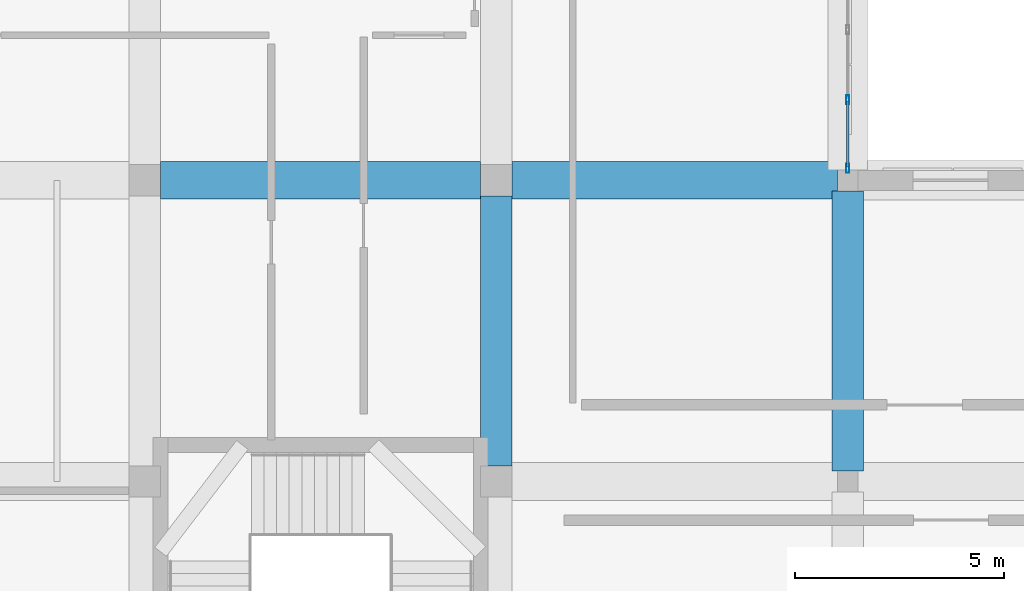
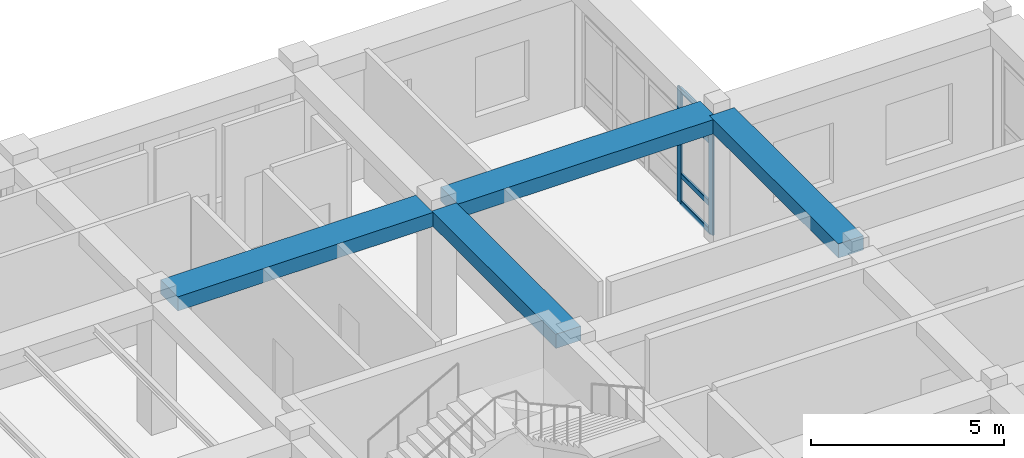
# One storey, part 46 of 111: 6 members, 4 beams, 1 element without a shape of its own.
"""IFC4 building model written with IfcOpenShell, lengths in metres."""

import ifcopenshell
import ifcopenshell.guid

model = None  # the IFC model being written
_history = None  # IfcOwnerHistory: only IFC2X3 demands one
_inside = {}  # id of a spatial element -> (the spatial element, [elements in it])
_under = {}  # id of a project, library or spatial element -> (it, [spatial elements below it])
_declared = {}  # id of a project -> (the project, [libraries it declares])
_typed = {}  # id of a type object -> (the type object, [elements of that type])
_made_of = {}  # id of a material, layer set ... -> (it, [elements and type objects made of it])


def new_model(schema):
    """Start an empty IFC model of exactly this schema.

    Asked for "IFC4X3", IfcOpenShell would pick the latest addendum, in which some entities
    have other attributes; the version numbers below select the first issue.
    IFC2X3 requires an IfcOwnerHistory on every rooted entity: one is made here for all.
    """
    global model, _history
    if schema == "IFC4X3":
        model = ifcopenshell.file(schema_version=(4, 3, 0, 0))
    else:
        model = ifcopenshell.file(schema=schema)
    _inside.clear()
    _under.clear()
    _declared.clear()
    _typed.clear()
    _made_of.clear()
    _history = None
    if model.schema == "IFC2X3":
        org = make("IfcOrganization", Name="unknown")
        user = make(
            "IfcPersonAndOrganization",
            ThePerson=make("IfcPerson", FamilyName="unknown"),
            TheOrganization=org,
        )
        app = make(
            "IfcApplication",
            ApplicationDeveloper=org,
            Version="unknown",
            ApplicationFullName="unknown",
            ApplicationIdentifier="unknown",
        )
        _history = make(
            "IfcOwnerHistory",
            OwningUser=user,
            OwningApplication=app,
            ChangeAction="ADDED",
            CreationDate=0,
        )
    return model


def make(cls, **values):
    """One entity of the class cls with the attributes given. An attribute that is None is left unset."""
    return model.create_entity(
        cls, **{name: value for name, value in values.items() if value is not None}
    )


def rooted(cls, **values):
    """An entity with a GlobalId (a new one), such as an element, a storey or a relation."""
    return make(cls, GlobalId=ifcopenshell.guid.new(), OwnerHistory=_history, **values)


def si_unit(unit_type, name, prefix=None):
    """IfcSIUnit, for example si_unit("LENGTHUNIT", "METRE", prefix="MILLI")."""
    return make("IfcSIUnit", UnitType=unit_type, Prefix=prefix, Name=name)


def derived_unit(unit_type, elements):
    """IfcDerivedUnit: a product of units, each with its exponent."""
    return make(
        "IfcDerivedUnit",
        Elements=[
            make("IfcDerivedUnitElement", Unit=unit, Exponent=power)
            for unit, power in elements
        ],
        UnitType=unit_type,
    )


def assignment(units):
    """IfcUnitAssignment: the units of a project."""
    return None if units is None else make("IfcUnitAssignment", Units=units)


def point(xyz):
    """IfcCartesianPoint."""
    return None if xyz is None else make("IfcCartesianPoint", Coordinates=xyz)


def direction(xyz):
    """IfcDirection."""
    return None if xyz is None else make("IfcDirection", DirectionRatios=xyz)


def frame(location, z_axis=None, x_axis=None):
    """IfcAxis2Placement3D, a coordinate frame: its origin and axes. An axis left out is left unset."""
    return make(
        "IfcAxis2Placement3D",
        Location=point(location),
        Axis=direction(z_axis),
        RefDirection=direction(x_axis),
    )


def frame_2d(location, x_axis=None):
    """IfcAxis2Placement2D, a coordinate frame in the plane: its origin and x axis."""
    return make(
        "IfcAxis2Placement2D", Location=point(location), RefDirection=direction(x_axis)
    )


def origin():
    """The frame at (0, 0, 0) with its axes left unset."""
    return frame((0.0, 0.0, 0.0))


def origin_2d():
    """The frame at (0, 0) in the plane with its x axis left unset."""
    return frame_2d((0.0, 0.0))


def place(relative_to, where):
    """IfcLocalPlacement: puts the frame where relative to a parent placement (None: the world)."""
    return make(
        "IfcLocalPlacement", PlacementRelTo=relative_to, RelativePlacement=where
    )


def context(
    kind, dimensions, precision=None, world=None, true_north=None, identifier=None
):
    """IfcGeometricRepresentationContext, for example the 3D "Model" context."""
    return make(
        "IfcGeometricRepresentationContext",
        ContextIdentifier=identifier,
        ContextType=kind,
        CoordinateSpaceDimension=dimensions,
        Precision=precision,
        WorldCoordinateSystem=world,
        TrueNorth=true_north,
    )


def subcontext(parent, identifier, kind, view, scale=None):
    """IfcGeometricRepresentationSubContext, for example "Body" below "Model"."""
    return make(
        "IfcGeometricRepresentationSubContext",
        ContextIdentifier=identifier,
        ContextType=kind,
        ParentContext=parent,
        TargetScale=scale,
        TargetView=view,
    )


def project(units=None, contexts=None):
    """IfcProject with its units and contexts."""
    return rooted(
        "IfcProject",
        Name="project",
        RepresentationContexts=contexts,
        UnitsInContext=assignment(units),
    )


def spatial(cls, under=None, at=None, **own):
    """A site, building, storey or space (cls), placed at a placement, below another one or the project."""
    s = rooted(cls, ObjectPlacement=at, **own)
    if under is not None:
        _under.setdefault(under.id(), (under, []))[1].append(s)
    return s


def profile(cls, at=None, kind="AREA", **sizes):
    """A parametric profile (cls). Its sizes go by their IFC names, for example OverallWidth=200.0."""
    return make(cls, ProfileType=kind, Position=at, **sizes)


def rectangle(**sizes):
    """IfcRectangleProfileDef."""
    return profile("IfcRectangleProfileDef", **sizes)


def hollow_rectangle(**sizes):
    """IfcRectangleHollowProfileDef."""
    return profile("IfcRectangleHollowProfileDef", **sizes)


def extrude(swept, where, along, depth):
    """IfcExtrudedAreaSolid: the profile swept, set in the frame where, extruded along a direction by depth."""
    return make(
        "IfcExtrudedAreaSolid",
        SweptArea=swept,
        Position=where,
        ExtrudedDirection=direction(along),
        Depth=depth,
    )


def shape(context_of_items, identifier, shape_type, items):
    """IfcShapeRepresentation: the items that make up one representation, for example the "Body"."""
    return make(
        "IfcShapeRepresentation",
        ContextOfItems=context_of_items,
        RepresentationIdentifier=identifier,
        RepresentationType=shape_type,
        Items=items,
    )


def material(Name=None, Category=None):
    """IfcMaterial."""
    return make("IfcMaterial", Name=Name, Category=Category)


def material_profile(
    of_material, cross_section, Name=None, Category=None, Priority=None
):
    """IfcMaterialProfile: a cross section and its material."""
    return make(
        "IfcMaterialProfile",
        Name=Name,
        Material=of_material,
        Profile=cross_section,
        Priority=Priority,
        Category=Category,
    )


def profile_set(profiles, Name=None, composite=None):
    """IfcMaterialProfileSet."""
    return make(
        "IfcMaterialProfileSet",
        Name=Name,
        MaterialProfiles=profiles,
        CompositeProfile=composite,
    )


def made_of(thing, what):
    """Note that an element or type object is made of a material, layer set ...; save() writes the relation."""
    if what is not None:
        _made_of.setdefault(what.id(), (what, []))[1].append(thing)
    return thing


def type_object(cls, material=None, **own):
    """A type object (cls), such as IfcWallType, which elements share."""
    return made_of(rooted(cls, **own), material)


def element(
    cls,
    number,
    at=None,
    inside=None,
    cuts=None,
    type_object=None,
    material=None,
    context=None,
    identifier="Body",
    shape_type=None,
    held_by="IfcProductDefinitionShape",
    body=None,
    shapes=None,
    **own,
):
    """One element of the class cls, such as IfcWall. Its Tag is "e" and its number.

    at: its placement. inside: the storey or other place that contains it. cuts: it is an
    opening in that element (IfcRelVoidsElement). A single representation is given by context,
    identifier, shape_type and body (its items); several are given by shapes. held_by: the class
    of the entity that holds the representations. save() writes the other relations.
    """
    e = rooted(cls, Tag="e%d" % number, ObjectPlacement=at, **own)
    if body is not None:
        shapes = [shape(context, identifier, shape_type, body)]
    if shapes is not None:
        e.Representation = make(held_by, Representations=shapes)
    if inside is not None:
        _inside.setdefault(inside.id(), (inside, []))[1].append(e)
    if cuts is not None:
        rooted(
            "IfcRelVoidsElement", RelatingBuildingElement=cuts, RelatedOpeningElement=e
        )
    if type_object is not None:
        _typed.setdefault(type_object.id(), (type_object, []))[1].append(e)
    return made_of(e, material)


def aggregate(whole, parts):
    """IfcRelAggregates: a whole, such as a stair, and the parts it consists of."""
    return rooted("IfcRelAggregates", RelatingObject=whole, RelatedObjects=parts)


def save(model, path):
    """Write the relations noted so far, then the file.

    IfcRelAggregates (storeys below a building ...), IfcRelContainedInSpatialStructure (elements
    in a storey), IfcRelDefinesByType, IfcRelAssociatesMaterial and IfcRelDeclares: one each for
    every whole, place, type object, material and project.
    """
    for whole, parts in _under.values():
        aggregate(whole, parts)
    for where, things in _inside.values():
        rooted(
            "IfcRelContainedInSpatialStructure",
            RelatedElements=things,
            RelatingStructure=where,
        )
    for kind, things in _typed.values():
        rooted("IfcRelDefinesByType", RelatedObjects=things, RelatingType=kind)
    for what, things in _made_of.values():
        rooted("IfcRelAssociatesMaterial", RelatedObjects=things, RelatingMaterial=what)
    for by, libraries in _declared.values():
        rooted("IfcRelDeclares", RelatingContext=by, RelatedDefinitions=libraries)
    model.write(path)


model = new_model("IFC4")

# Units and contexts
model_context = context("Model", 3, precision=1e-05, world=origin(), true_north=direction((0.0, 1.0)))
body_context = subcontext(model_context, "Body", "Model", "MODEL_VIEW")
ifc_project = project(units=[si_unit("LENGTHUNIT", "METRE"), si_unit("AREAUNIT", "SQUARE_METRE"), si_unit("VOLUMEUNIT", "CUBIC_METRE"), si_unit("PLANEANGLEUNIT", "RADIAN"), si_unit("MASSUNIT", "GRAM", prefix="KILO"), derived_unit("THERMALTRANSMITTANCEUNIT", [(si_unit("POWERUNIT", "WATT"), 1), (si_unit("LENGTHUNIT", "METRE"), -2), (si_unit("THERMODYNAMICTEMPERATUREUNIT", "KELVIN"), -1)])], contexts=[model_context])

# Site, building, storey
site_placement = place(None, origin())
site = spatial("IfcSite", under=ifc_project, at=site_placement, CompositionType="ELEMENT")
building_placement = place(site_placement, origin())
building = spatial("IfcBuilding", under=site, at=building_placement, Name="Veybourne Emporium", CompositionType="ELEMENT")
storey_placement = place(building_placement, frame((0.0, 0.0, 9.89990234375)))
storey = spatial("IfcBuildingStorey", under=building, at=storey_placement, Name="L02", CompositionType="ELEMENT", Elevation=9.89990234375)

# Curtain wall, members
ifc_material_1 = material(Name="Patinated Architectural Bronze", Category="bronze")
curtain_wall_type = type_object("IfcCurtainWallType", Name="CWSystem_CWS-28", PredefinedType="NOTDEFINED", material=ifc_material_1)
curtain_wall_placement = place(storey_placement, origin())
curtain_wall = element("IfcCurtainWall", 1, at=curtain_wall_placement, inside=storey, type_object=curtain_wall_type, Name="L02 bronze glazed curtain wall CWS-28 (070)", PredefinedType="NOTDEFINED")
ifc_material_profile_1 = material_profile(ifc_material_1, hollow_rectangle(XDim=0.070068359375, YDim=0.219970703125, WallThickness=0.0048828125, InnerFilletRadius=0.007568359375, OuterFilletRadius=0.012451171875, at=origin_2d()), Name="CWM 70x220x5")
ifc_profile_set_1 = profile_set([ifc_material_profile_1], Name="Patinated Architectural Bronze")
member_type_1 = type_object("IfcMemberType", Name="CWMullion_CW-M4", PredefinedType="MULLION", material=ifc_profile_set_1)
member_1_placement = place(storey_placement, frame((142.800048828125, 23.52490234375, 0.0), z_axis=(0.0, 0.0, 1.0), x_axis=(1.0, 0.0, 0.0)))
member_1 = element("IfcMember", 2, at=member_1_placement, type_object=member_type_1, Name="CWS-28 mullion 4", PredefinedType="MULLION", context=body_context, shape_type="SweptSolid", body=[
    extrude(hollow_rectangle(XDim=0.070068359375, YDim=0.219970703125, WallThickness=0.0048828125, InnerFilletRadius=0.007568359375, OuterFilletRadius=0.012451171875, at=origin_2d()), origin(), (0.0, 0.0, 1.0), 3.630126953125),
])
member_2_placement = place(storey_placement, frame((142.800048828125, 21.885009765625, 0.0), z_axis=(0.0, 0.0, 1.0), x_axis=(1.0, 0.0, 0.0)))
member_2 = element("IfcMember", 3, at=member_2_placement, type_object=member_type_1, Name="CWS-28 mullion 5", PredefinedType="MULLION", context=body_context, shape_type="SweptSolid", body=[
    extrude(hollow_rectangle(XDim=0.070068359375, YDim=0.219970703125, WallThickness=0.0048828125, InnerFilletRadius=0.007568359375, OuterFilletRadius=0.012451171875, at=origin_2d()), origin(), (0.0, 0.0, 1.0), 3.630126953125),
])
ifc_material_profile_2 = material_profile(ifc_material_1, hollow_rectangle(XDim=0.070068359375, YDim=0.169921875, WallThickness=0.0048828125, InnerFilletRadius=0.007568359375, OuterFilletRadius=0.012451171875, at=origin_2d()), Name="CWT 70x170x5")
ifc_profile_set_2 = profile_set([ifc_material_profile_2], Name="Patinated Architectural Bronze")
member_type_2 = type_object("IfcMemberType", Name="CWTransom_CW-T4", PredefinedType="NOTDEFINED", material=ifc_profile_set_2)
member_3_placement = place(storey_placement, frame((142.800048828125, 23.489990234375, 0.03515625), z_axis=(0.0, -1.0, 0.0), x_axis=(1.0, 0.0, 0.0)))
member_3 = element("IfcMember", 4, at=member_3_placement, type_object=member_type_2, Name="CWS-28 transom 4.1", ObjectType="TRANSOM", PredefinedType="USERDEFINED", context=body_context, shape_type="SweptSolid", body=[
    extrude(hollow_rectangle(XDim=0.070068359375, YDim=0.169921875, WallThickness=0.0048828125, InnerFilletRadius=0.007568359375, OuterFilletRadius=0.012451171875, at=origin_2d()), origin(), (0.0, 0.0, 1.0), 1.570068359375),
])
member_4_placement = place(storey_placement, frame((142.800048828125, 23.489990234375, 0.900146484375), z_axis=(0.0, -1.0, 0.0), x_axis=(1.0, 0.0, 0.0)))
member_4 = element("IfcMember", 5, at=member_4_placement, type_object=member_type_2, Name="CWS-28 transom 4.2", ObjectType="TRANSOM", PredefinedType="USERDEFINED", context=body_context, shape_type="SweptSolid", body=[
    extrude(hollow_rectangle(XDim=0.070068359375, YDim=0.169921875, WallThickness=0.0048828125, InnerFilletRadius=0.007568359375, OuterFilletRadius=0.012451171875, at=origin_2d()), origin(), (0.0, 0.0, 1.0), 1.570068359375),
])
member_5_placement = place(storey_placement, frame((142.800048828125, 23.489990234375, 2.880126953125), z_axis=(0.0, -1.0, 0.0), x_axis=(1.0, 0.0, 0.0)))
member_5 = element("IfcMember", 6, at=member_5_placement, type_object=member_type_2, Name="CWS-28 transom 4.3", ObjectType="TRANSOM", PredefinedType="USERDEFINED", context=body_context, shape_type="SweptSolid", body=[
    extrude(hollow_rectangle(XDim=0.070068359375, YDim=0.169921875, WallThickness=0.0048828125, InnerFilletRadius=0.007568359375, OuterFilletRadius=0.012451171875, at=origin_2d()), origin(), (0.0, 0.0, 1.0), 1.570068359375),
])
member_6_placement = place(storey_placement, frame((142.800048828125, 23.489990234375, 3.59521484375), z_axis=(0.0, -1.0, 0.0), x_axis=(1.0, 0.0, 0.0)))
member_6 = element("IfcMember", 7, at=member_6_placement, type_object=member_type_2, Name="CWS-28 transom 4.4", ObjectType="TRANSOM", PredefinedType="USERDEFINED", context=body_context, shape_type="SweptSolid", body=[
    extrude(hollow_rectangle(XDim=0.070068359375, YDim=0.169921875, WallThickness=0.0048828125, InnerFilletRadius=0.007568359375, OuterFilletRadius=0.012451171875, at=origin_2d()), origin(), (0.0, 0.0, 1.0), 1.570068359375),
])
aggregate(curtain_wall, [member_1, member_2, member_3, member_4, member_5, member_6])

# Beams
ifc_material_2 = material(Name="Concrete C32/40", Category="concrete")
ifc_material_profile_3 = material_profile(ifc_material_2, rectangle(XDim=0.89990234375, YDim=0.449951171875, at=origin_2d()), Name="RC 900x450")
ifc_profile_set_3 = profile_set([ifc_material_profile_3], Name="Concrete C32/40")
beam_type_1 = type_object("IfcBeamType", Name="RCBeam_BB-03", PredefinedType="BEAM", material=ifc_profile_set_3)
beam_1_placement = place(storey_placement, frame((126.375, 21.60009765625, 3.955078125), z_axis=(1.0, 0.0, 0.0), x_axis=(0.0, 1.0, 0.0)))
element("IfcBeam", 8, at=beam_1_placement, inside=storey, type_object=beam_type_1, Name="L02 X-grid beam BB-03 (15,3)", PredefinedType="BEAM", context=body_context, shape_type="SweptSolid", body=[
    extrude(rectangle(XDim=0.89990234375, YDim=0.449951171875, at=origin_2d()), origin(), (0.0, 0.0, 1.0), 7.64990234375),
])
beam_2_placement = place(storey_placement, frame((134.77490234375, 21.60009765625, 3.955078125), z_axis=(1.0, 0.0, 0.0), x_axis=(0.0, 1.0, 0.0)))
element("IfcBeam", 9, at=beam_2_placement, inside=storey, type_object=beam_type_1, Name="L02 X-grid beam BB-03 (16,3)", PredefinedType="BEAM", context=body_context, shape_type="SweptSolid", body=[
    extrude(rectangle(XDim=0.89990234375, YDim=0.449951171875, at=origin_2d()), origin(), (0.0, 0.0, 1.0), 7.775146484375),
])
ifc_material_profile_4 = material_profile(ifc_material_2, rectangle(XDim=0.75, YDim=0.449951171875, at=origin_2d()), Name="RC 750x450")
ifc_profile_set_4 = profile_set([ifc_material_profile_4], Name="Concrete C32/40")
beam_type_2 = type_object("IfcBeamType", Name="RCBeam_BB-04", PredefinedType="BEAM", material=ifc_profile_set_4)
beam_3_placement = place(storey_placement, frame((134.39990234375, 14.77490234375, 3.955078125), z_axis=(0.0, 1.0, 0.0), x_axis=(-1.0, 0.0, 0.0)))
element("IfcBeam", 10, at=beam_3_placement, inside=storey, type_object=beam_type_2, Name="L02 Y-grid beam BB-04 (16,2)", PredefinedType="BEAM", context=body_context, shape_type="SweptSolid", body=[
    extrude(rectangle(XDim=0.75, YDim=0.449951171875, at=origin_2d()), origin(), (0.0, 0.0, 1.0), 6.4501953125),
])
beam_4_placement = place(storey_placement, frame((142.800048828125, 14.64990234375, 3.955078125), z_axis=(0.0, 1.0, 0.0), x_axis=(-1.0, 0.0, 0.0)))
element("IfcBeam", 11, at=beam_4_placement, inside=storey, type_object=beam_type_2, Name="L02 Y-grid beam BB-04 (17,2)", PredefinedType="BEAM", context=body_context, shape_type="SweptSolid", body=[
    extrude(rectangle(XDim=0.75, YDim=0.449951171875, at=origin_2d()), origin(), (0.0, 0.0, 1.0), 6.7001953125),
])

save(model, "model.ifc")
